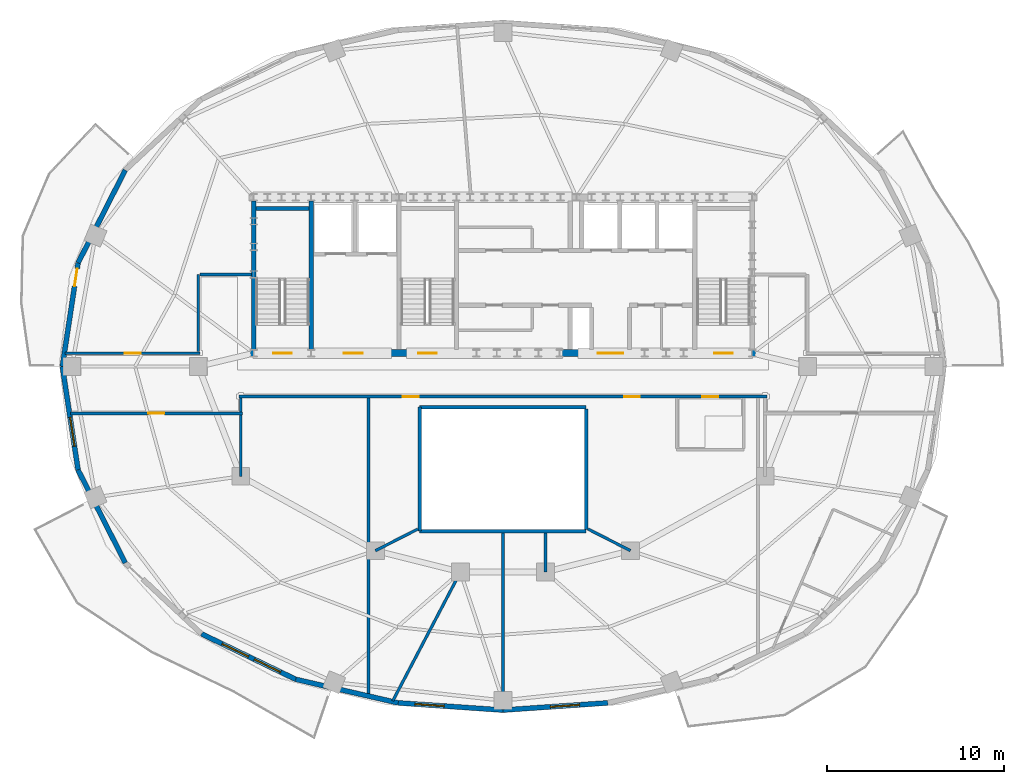
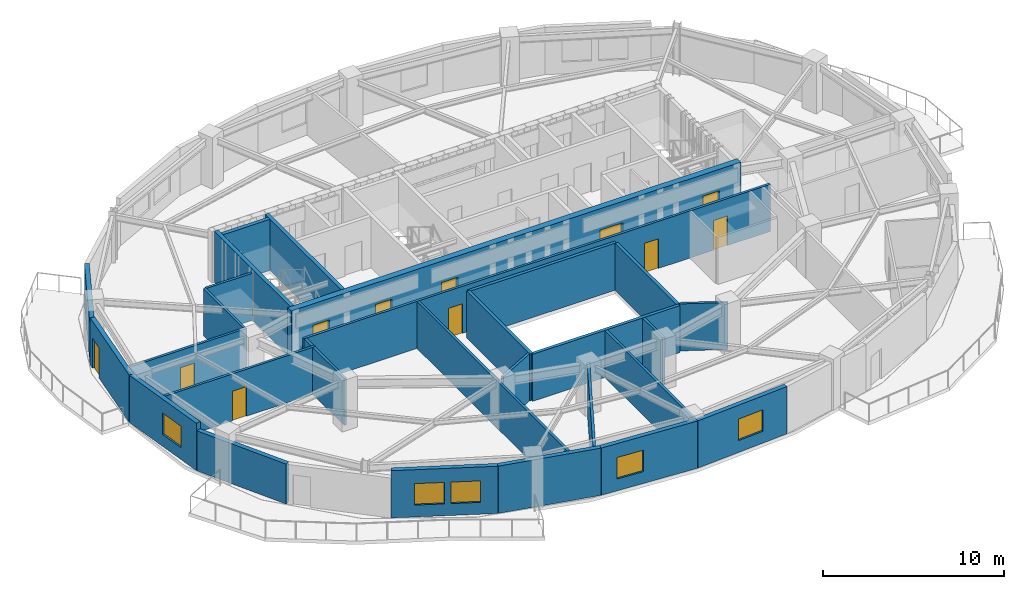
# One storey, part 3 of 9: 29 walls, 11 doors, 5 windows, 16 openings.
"""IFC4 building model written with IfcOpenShell, lengths in metres."""

from ifc_helpers import new_model, si_unit, direction, frame, frame_2d, origin, place, context, subcontext, project, spatial, rectangle, extrude, material, layer, layer_set, type_object, element, fill, save


model = new_model("IFC4")

# Units and contexts
model_context = context("Model", 3, precision=1e-05, world=origin(), true_north=direction((0.0, 1.0)))
body_context = subcontext(model_context, "Body", "Model", "MODEL_VIEW")
ifc_project = project(units=[si_unit("LENGTHUNIT", "METRE"), si_unit("AREAUNIT", "SQUARE_METRE"), si_unit("VOLUMEUNIT", "CUBIC_METRE"), si_unit("PLANEANGLEUNIT", "RADIAN"), si_unit("MASSUNIT", "GRAM", prefix="KILO")], contexts=[model_context])

# Site, building, storey
site_placement = place(None, origin())
site = spatial("IfcSite", under=ifc_project, at=site_placement, CompositionType="ELEMENT")
building_placement = place(site_placement, origin())
building = spatial("IfcBuilding", under=site, at=building_placement, Name="Haldorwick Loom Tower", CompositionType="ELEMENT")
storey_placement = place(building_placement, frame((0.0, 0.0, 244.35009765625)))
storey = spatial("IfcBuildingStorey", under=building, at=storey_placement, Name="L66", CompositionType="ELEMENT", Elevation=244.35009765625)

# Wall
ifc_material_1 = material(Name="Pressed Clay Face Brick and Insulated Masonry Backup Assembly", Category="masonry")
ifc_layer_1 = layer(ifc_material_1, 0.280029296875, Name="Pressed Clay Face Brick and Insulated Masonry Backup Assembly", Category="masonry")
ifc_layer_set_1 = layer_set([ifc_layer_1], Name="Pressed Clay Face Brick and Insulated Masonry Backup Assembly")
wall_type_1 = type_object("IfcWallType", Name="ARC-WL-EXT280", PredefinedType="STANDARD", material=ifc_layer_set_1)
wall_1_placement = place(storey_placement, frame((14.677490234375, 37.08984375, 0.0), z_axis=(0.0, 0.0, 1.0), x_axis=(-0.453100705059, -0.89145933787, 0.0)))
element("IfcWall", 1, at=wall_1_placement, inside=storey, type_object=wall_type_1, Name="L66 Brick Pier and Spandrel Wall 11", PredefinedType="STANDARD", context=body_context, shape_type="SweptSolid", body=[
    extrude(rectangle(XDim=5.879150390625, YDim=0.280029296875, at=frame_2d((2.939453125, 0.0))), origin(), (0.0, 0.0, 1.0), 2.698974609375),
])

# Wall, opening, door
wall_2_placement = place(storey_placement, frame((12.013671875, 31.848876953125, 0.0), z_axis=(0.0, 0.0, 1.0), x_axis=(-0.150497234153, -0.988610430105, 0.0)))
wall_2 = element("IfcWall", 2, at=wall_2_placement, inside=storey, type_object=wall_type_1, Name="L66 Brick Pier and Spandrel Wall 12", PredefinedType="STANDARD", context=body_context, shape_type="SweptSolid", body=[
    extrude(rectangle(XDim=5.916259765625, YDim=0.280029296875, at=frame_2d((2.9580078125, 0.0))), origin(), (0.0, 0.0, 1.0), 3.18994140625),
])
opening_1_placement = place(wall_2_placement, frame((0.340087890625, 0.0, 0.0)))
opening_1 = element("IfcOpeningElement", 3, at=opening_1_placement, cuts=wall_2, Name="Opening D-BL10", PredefinedType="OPENING", context=body_context, shape_type="SweptSolid", body=[
    extrude(rectangle(XDim=1.0, YDim=2.0400390625, at=frame_2d((0.5, 1.02001953125))), frame((0.0, 0.14990234375, 0.0), z_axis=(0.0, -1.0, 0.0), x_axis=(1.0, 0.0, 0.0)), (0.0, 0.0, 1.0), 0.300048828125),
])
ifc_material_2 = material(Name="Thermally Broken Anodized Aluminium Curtain Wall Framing", Category="aluminium")
door_type_1 = type_object("IfcDoorType", Name="ARC-DR-BAL100", OperationType="NOTDEFINED", PredefinedType="DOOR", material=ifc_material_2)
door_1_placement = place(opening_1_placement, origin())
door_1 = element("IfcDoor", 4, at=door_1_placement, inside=storey, type_object=door_type_1, Name="L66 Outdoor Terrace Door SLB-L66-BAL_WNW", OperationType="SINGLE_SWING_RIGHT", OverallHeight=2.0400390625, OverallWidth=1.0, PredefinedType="DOOR", context=body_context, shape_type="SweptSolid", body=[
    extrude(rectangle(XDim=1.0, YDim=2.0400390625, at=frame_2d((0.5, 1.02001953125))), frame((0.0, 0.02490234375, 0.0), z_axis=(0.0, -1.0, 0.0), x_axis=(1.0, 0.0, 0.0)), (0.0, 0.0, 1.0), 0.050048828125),
])
fill(opening_1, door_1)

# Wall, opening, window
wall_3_placement = place(storey_placement, frame((11.123291015625, 26.0, 0.0), z_axis=(0.0, 0.0, 1.0), x_axis=(0.150497234153, -0.988610430105, 0.0)))
wall_3 = element("IfcWall", 5, at=wall_3_placement, inside=storey, type_object=wall_type_1, Name="L66 Brick Pier and Spandrel Wall 13", PredefinedType="STANDARD", context=body_context, shape_type="SweptSolid", body=[
    extrude(rectangle(XDim=5.916259765625, YDim=0.280029296875, at=frame_2d((2.9580078125, 0.0))), origin(), (0.0, 0.0, 1.0), 3.18994140625),
])
opening_2_placement = place(wall_3_placement, frame((2.91015625, 0.0, 0.800048828125)))
opening_2 = element("IfcOpeningElement", 6, at=opening_2_placement, cuts=wall_3, Name="Opening W-01B", PredefinedType="OPENING", context=body_context, shape_type="SweptSolid", body=[
    extrude(rectangle(XDim=1.64990234375, YDim=1.449951171875, at=frame_2d((0.824951171875, 0.72509765625))), frame((0.0, 0.14990234375, 0.0), z_axis=(0.0, -1.0, 0.0), x_axis=(1.0, 0.0, 0.0)), (0.0, 0.0, 1.0), 0.300048828125),
])
ifc_material_3 = material(Name="Triple-Glazed Low-E Argon Insulated Glazing Unit", Category="glass")
window_type = type_object("IfcWindowType", Name="ARC-WIN-W165", PartitioningType="SINGLE_PANEL", PredefinedType="WINDOW", material=ifc_material_3)
window_1_placement = place(opening_2_placement, origin())
window_1 = element("IfcWindow", 7, at=window_1_placement, inside=storey, type_object=window_type, Name="L66 Deep-Set Zone 7A Window 13", OverallHeight=1.449951171875, OverallWidth=1.64990234375, PartitioningType="SINGLE_PANEL", PredefinedType="WINDOW", context=body_context, shape_type="SweptSolid", body=[
    extrude(rectangle(XDim=1.64990234375, YDim=1.449951171875, at=frame_2d((0.824951171875, 0.72509765625))), frame((0.0, 0.030029296875, 0.0), z_axis=(0.0, -1.0, 0.0), x_axis=(1.0, 0.0, 0.0)), (0.0, 0.0, 1.0), 0.06005859375),
])
fill(opening_2, window_1)

# Wall
wall_4_placement = place(storey_placement, frame((12.013671875, 20.151123046875, 0.0), z_axis=(0.0, 0.0, 1.0), x_axis=(0.453100705059, -0.89145933787, 0.0)))
element("IfcWall", 8, at=wall_4_placement, inside=storey, type_object=wall_type_1, Name="L66 Brick Pier and Spandrel Wall 14", PredefinedType="STANDARD", context=body_context, shape_type="SweptSolid", body=[
    extrude(rectangle(XDim=5.879150390625, YDim=0.280029296875, at=frame_2d((2.939453125, 0.0))), origin(), (0.0, 0.0, 1.0), 2.698974609375),
])

# Wall, openings, windows
wall_5_placement = place(storey_placement, frame((18.98046875, 10.904296875, 0.0), z_axis=(0.0, 0.0, 1.0), x_axis=(0.900481907967, -0.434893473651, 0.0)))
wall_5 = element("IfcWall", 9, at=wall_5_placement, inside=storey, type_object=wall_type_1, Name="L66 Brick Pier and Spandrel Wall 16", PredefinedType="STANDARD", context=body_context, shape_type="SweptSolid", body=[
    extrude(rectangle(XDim=5.90966796875, YDim=0.280029296875, at=frame_2d((2.954833984375, 0.0))), origin(), (0.0, 0.0, 1.0), 3.18994140625),
])
opening_3_placement = place(wall_5_placement, frame((1.29443359375, 0.0, 0.800048828125)))
opening_3 = element("IfcOpeningElement", 10, at=opening_3_placement, cuts=wall_5, Name="Opening W-01B", PredefinedType="OPENING", context=body_context, shape_type="SweptSolid", body=[
    extrude(rectangle(XDim=1.64990234375, YDim=1.449951171875, at=frame_2d((0.824951171875, 0.72509765625))), frame((0.0, 0.14990234375, 0.0), z_axis=(0.0, -1.0, 0.0), x_axis=(1.0, 0.0, 0.0)), (0.0, 0.0, 1.0), 0.300048828125),
])
opening_4_placement = place(wall_5_placement, frame((3.311767578125, 0.0, 0.800048828125)))
opening_4 = element("IfcOpeningElement", 11, at=opening_4_placement, cuts=wall_5, Name="Opening W-01B", PredefinedType="OPENING", context=body_context, shape_type="SweptSolid", body=[
    extrude(rectangle(XDim=1.64990234375, YDim=1.449951171875, at=frame_2d((0.824951171875, 0.72509765625))), frame((0.0, 0.14990234375, 0.0), z_axis=(0.0, -1.0, 0.0), x_axis=(1.0, 0.0, 0.0)), (0.0, 0.0, 1.0), 0.300048828125),
])
window_2_placement = place(opening_3_placement, origin())
window_2 = element("IfcWindow", 12, at=window_2_placement, inside=storey, type_object=window_type, Name="L66 Deep-Set Zone 7A Window 16", OverallHeight=1.449951171875, OverallWidth=1.64990234375, PartitioningType="SINGLE_PANEL", PredefinedType="WINDOW", context=body_context, shape_type="SweptSolid", body=[
    extrude(rectangle(XDim=1.64990234375, YDim=1.449951171875, at=frame_2d((0.824951171875, 0.72509765625))), frame((0.0, 0.030029296875, 0.0), z_axis=(0.0, -1.0, 0.0), x_axis=(1.0, 0.0, 0.0)), (0.0, 0.0, 1.0), 0.06005859375),
])
fill(opening_3, window_2)
window_3_placement = place(opening_4_placement, origin())
window_3 = element("IfcWindow", 13, at=window_3_placement, inside=storey, type_object=window_type, Name="L66 Deep-Set Zone 7A Window 16", OverallHeight=1.449951171875, OverallWidth=1.64990234375, PartitioningType="SINGLE_PANEL", PredefinedType="WINDOW", context=body_context, shape_type="SweptSolid", body=[
    extrude(rectangle(XDim=1.64990234375, YDim=1.449951171875, at=frame_2d((0.824951171875, 0.72509765625))), frame((0.0, 0.030029296875, 0.0), z_axis=(0.0, -1.0, 0.0), x_axis=(1.0, 0.0, 0.0)), (0.0, 0.0, 1.0), 0.06005859375),
])
fill(opening_4, window_3)

# Wall
wall_6_placement = place(storey_placement, frame((24.302001953125, 8.334228515625, 0.0), z_axis=(0.0, 0.0, 1.0), x_axis=(0.974589984037, -0.223996345987, 0.0)))
element("IfcWall", 14, at=wall_6_placement, inside=storey, type_object=wall_type_1, Name="L66 Brick Pier and Spandrel Wall 17", PredefinedType="STANDARD", context=body_context, shape_type="SweptSolid", body=[
    extrude(rectangle(XDim=5.92919921875, YDim=0.280029296875, at=frame_2d((2.964599609375, 0.0))), origin(), (0.0, 0.0, 1.0), 3.18994140625),
])

# Wall, opening, window
wall_7_placement = place(storey_placement, frame((30.08056640625, 7.006103515625, 0.0), z_axis=(0.0, 0.0, 1.0), x_axis=(0.997656066566, -0.068427865986, 0.0)))
wall_7 = element("IfcWall", 15, at=wall_7_placement, inside=storey, type_object=wall_type_1, Name="L66 Brick Pier and Spandrel Wall 18", PredefinedType="STANDARD", context=body_context, shape_type="SweptSolid", body=[
    extrude(rectangle(XDim=5.933349609375, YDim=0.280029296875, at=frame_2d((2.966796875, 0.0))), origin(), (0.0, 0.0, 1.0), 3.18994140625),
])
opening_5_placement = place(wall_7_placement, frame((0.955078125, 0.0, 0.800048828125)))
opening_5 = element("IfcOpeningElement", 16, at=opening_5_placement, cuts=wall_7, Name="Opening W-01B", PredefinedType="OPENING", context=body_context, shape_type="SweptSolid", body=[
    extrude(rectangle(XDim=1.64990234375, YDim=1.449951171875, at=frame_2d((0.824951171875, 0.72509765625))), frame((0.0, 0.14990234375, 0.0), z_axis=(0.0, -1.0, 0.0), x_axis=(1.0, 0.0, 0.0)), (0.0, 0.0, 1.0), 0.300048828125),
])
window_4_placement = place(opening_5_placement, origin())
window_4 = element("IfcWindow", 17, at=window_4_placement, inside=storey, type_object=window_type, Name="L66 Deep-Set Zone 7A Window 18", OverallHeight=1.449951171875, OverallWidth=1.64990234375, PartitioningType="SINGLE_PANEL", PredefinedType="WINDOW", context=body_context, shape_type="SweptSolid", body=[
    extrude(rectangle(XDim=1.64990234375, YDim=1.449951171875, at=frame_2d((0.824951171875, 0.72509765625))), frame((0.0, 0.030029296875, 0.0), z_axis=(0.0, -1.0, 0.0), x_axis=(1.0, 0.0, 0.0)), (0.0, 0.0, 1.0), 0.06005859375),
])
fill(opening_5, window_4)

wall_8_placement = place(storey_placement, frame((36.0, 6.60009765625, 0.0), z_axis=(0.0, 0.0, 1.0), x_axis=(0.997656066566, 0.068427865986, 0.0)))
wall_8 = element("IfcWall", 18, at=wall_8_placement, inside=storey, type_object=wall_type_1, Name="L66 Brick Pier and Spandrel Wall 19", PredefinedType="STANDARD", context=body_context, shape_type="SweptSolid", body=[
    extrude(rectangle(XDim=5.933349609375, YDim=0.280029296875, at=frame_2d((2.966796875, 0.0))), origin(), (0.0, 0.0, 1.0), 3.18994140625),
])
opening_6_placement = place(wall_8_placement, frame((2.68212890625, 0.0, 0.800048828125)))
opening_6 = element("IfcOpeningElement", 19, at=opening_6_placement, cuts=wall_8, Name="Opening W-01B", PredefinedType="OPENING", context=body_context, shape_type="SweptSolid", body=[
    extrude(rectangle(XDim=1.64990234375, YDim=1.449951171875, at=frame_2d((0.824951171875, 0.72509765625))), frame((0.0, 0.14990234375, 0.0), z_axis=(0.0, -1.0, 0.0), x_axis=(1.0, 0.0, 0.0)), (0.0, 0.0, 1.0), 0.300048828125),
])
window_5_placement = place(opening_6_placement, origin())
window_5 = element("IfcWindow", 20, at=window_5_placement, inside=storey, type_object=window_type, Name="L66 Deep-Set Zone 7A Window 19", OverallHeight=1.449951171875, OverallWidth=1.64990234375, PartitioningType="SINGLE_PANEL", PredefinedType="WINDOW", context=body_context, shape_type="SweptSolid", body=[
    extrude(rectangle(XDim=1.64990234375, YDim=1.449951171875, at=frame_2d((0.824951171875, 0.72509765625))), frame((0.0, 0.030029296875, 0.0), z_axis=(0.0, -1.0, 0.0), x_axis=(1.0, 0.0, 0.0)), (0.0, 0.0, 1.0), 0.06005859375),
])
fill(opening_6, window_5)

# Wall, openings, doors
ifc_material_4 = material(Name="Fire-Rated Type X Gypsum Stud Assembly EI 60")
ifc_layer_2 = layer(ifc_material_4, 0.159912109375, Name="Fire-Rated Type X Gypsum Stud Assembly EI 60")
ifc_layer_set_2 = layer_set([ifc_layer_2], Name="Fire-Rated Type X Gypsum Stud Assembly EI 60")
wall_type_2 = type_object("IfcWallType", Name="ARC-WL-FIRE160", PredefinedType="PARTITIONING", material=ifc_layer_set_2)
wall_9_placement = place(storey_placement, frame((21.10009765625, 24.300048828125, 0.0), z_axis=(0.0, 0.0, 1.0), x_axis=(1.0, 0.0, 0.0)))
wall_9 = element("IfcWall", 21, at=wall_9_placement, inside=storey, type_object=wall_type_2, Name="L66 Residential Fire Partition L66-CR-SP", PredefinedType="PARTITIONING", context=body_context, shape_type="SweptSolid", body=[
    extrude(rectangle(XDim=29.7998046875, YDim=0.159912109375, at=frame_2d((14.89990234375, 0.0))), origin(), (0.0, 0.0, 1.0), 3.1748046875),
])
opening_7_placement = place(wall_9_placement, frame((21.734375, 0.0, 0.0)))
opening_7 = element("IfcOpeningElement", 22, at=opening_7_placement, cuts=wall_9, Name="Opening D-FD60A", PredefinedType="OPENING", context=body_context, shape_type="SweptSolid", body=[
    extrude(rectangle(XDim=0.89990234375, YDim=2.0, at=frame_2d((0.449951171875, 1.0))), frame((0.0, 0.08984375, 0.0), z_axis=(0.0, -1.0, 0.0), x_axis=(1.0, 0.0, 0.0)), (0.0, 0.0, 1.0), 0.179931640625),
])
opening_8_placement = place(wall_9_placement, frame((9.240478515625, 0.0, 0.0)))
opening_8 = element("IfcOpeningElement", 23, at=opening_8_placement, cuts=wall_9, Name="Opening D-FD60A", PredefinedType="OPENING", context=body_context, shape_type="SweptSolid", body=[
    extrude(rectangle(XDim=0.89990234375, YDim=2.0, at=frame_2d((0.449951171875, 1.0))), frame((0.0, 0.08984375, 0.0), z_axis=(0.0, -1.0, 0.0), x_axis=(1.0, 0.0, 0.0)), (0.0, 0.0, 1.0), 0.179931640625),
])
opening_9_placement = place(wall_9_placement, frame((26.1494140625, 0.0, 0.0)))
opening_9 = element("IfcOpeningElement", 24, at=opening_9_placement, cuts=wall_9, Name="Opening D-FD60A", PredefinedType="OPENING", context=body_context, shape_type="SweptSolid", body=[
    extrude(rectangle(XDim=0.89990234375, YDim=2.0, at=frame_2d((0.449951171875, 1.0))), frame((0.0, 0.08984375, 0.0), z_axis=(0.0, -1.0, 0.0), x_axis=(1.0, 0.0, 0.0)), (0.0, 0.0, 1.0), 0.179931640625),
])
ifc_material_5 = material(Name="Hollow Steel Fire Door Assembly", Category="steel")
door_type_2 = type_object("IfcDoorType", Name="ARC-DR-FD60-90", OperationType="NOTDEFINED", PredefinedType="DOOR", material=ifc_material_5)
door_2_placement = place(opening_7_placement, origin())
door_2 = element("IfcDoor", 25, at=door_2_placement, inside=storey, type_object=door_type_2, Name="L66 L66 Central Residential Corridor to Community Teaching Classroom 5 D", OperationType="SINGLE_SWING_RIGHT", OverallHeight=2.0, OverallWidth=0.89990234375, PredefinedType="DOOR", context=body_context, shape_type="SweptSolid", body=[
    extrude(rectangle(XDim=0.89990234375, YDim=2.0, at=frame_2d((0.449951171875, 1.0))), frame((0.0, 0.02490234375, 0.0), z_axis=(0.0, -1.0, 0.0), x_axis=(1.0, 0.0, 0.0)), (0.0, 0.0, 1.0), 0.050048828125),
])
fill(opening_7, door_2)
door_3_placement = place(opening_8_placement, origin())
door_3 = element("IfcDoor", 26, at=door_3_placement, inside=storey, type_object=door_type_2, Name="L66 L66 Central Residential Corridor to Community Teaching Classroom 1 D", OperationType="SINGLE_SWING_LEFT", OverallHeight=2.0, OverallWidth=0.89990234375, PredefinedType="DOOR", context=body_context, shape_type="SweptSolid", body=[
    extrude(rectangle(XDim=0.89990234375, YDim=2.0, at=frame_2d((0.449951171875, 1.0))), frame((0.0, 0.02490234375, 0.0), z_axis=(0.0, -1.0, 0.0), x_axis=(1.0, 0.0, 0.0)), (0.0, 0.0, 1.0), 0.050048828125),
])
fill(opening_8, door_3)
door_4_placement = place(opening_9_placement, origin())
door_4 = element("IfcDoor", 27, at=door_4_placement, inside=storey, type_object=door_type_2, Name="L66 L66 Central Residential Corridor to Common Accessible WC Door", OperationType="SINGLE_SWING_RIGHT", OverallHeight=2.0, OverallWidth=0.89990234375, PredefinedType="DOOR", context=body_context, shape_type="SweptSolid", body=[
    extrude(rectangle(XDim=0.89990234375, YDim=2.0, at=frame_2d((0.449951171875, 1.0))), frame((0.0, 0.02490234375, 0.0), z_axis=(0.0, -1.0, 0.0), x_axis=(1.0, 0.0, 0.0)), (0.0, 0.0, 1.0), 0.050048828125),
])
fill(opening_9, door_4)

# Wall, opening, door
wall_10_placement = place(storey_placement, frame((11.572265625, 23.35009765625, 0.0), z_axis=(0.0, 0.0, 1.0), x_axis=(1.0, 0.0, 0.0)))
wall_10 = element("IfcWall", 28, at=wall_10_placement, inside=storey, type_object=wall_type_2, Name="L66 Residential Fire Partition L66-CR-SPW", PredefinedType="PARTITIONING", context=body_context, shape_type="SweptSolid", body=[
    extrude(rectangle(XDim=9.727783203125, YDim=0.159912109375, at=frame_2d((4.86376953125, 0.0))), origin(), (0.0, 0.0, 1.0), 3.1748046875),
])
opening_10_placement = place(wall_10_placement, frame((4.413818359375, 0.0, 0.0)))
opening_10 = element("IfcOpeningElement", 29, at=opening_10_placement, cuts=wall_10, Name="Opening D-FD60A", PredefinedType="OPENING", context=body_context, shape_type="SweptSolid", body=[
    extrude(rectangle(XDim=0.89990234375, YDim=2.0, at=frame_2d((0.449951171875, 1.0))), frame((0.0, 0.08984375, 0.0), z_axis=(0.0, -1.0, 0.0), x_axis=(1.0, 0.0, 0.0)), (0.0, 0.0, 1.0), 0.179931640625),
])
door_5_placement = place(opening_10_placement, origin())
door_5 = element("IfcDoor", 30, at=door_5_placement, inside=storey, type_object=door_type_2, Name="L66 L66 Central Residential Corridor to Community Teaching Classroom 2 D", OperationType="SINGLE_SWING_LEFT", OverallHeight=2.0, OverallWidth=0.89990234375, PredefinedType="DOOR", context=body_context, shape_type="SweptSolid", body=[
    extrude(rectangle(XDim=0.89990234375, YDim=2.0, at=frame_2d((0.449951171875, 1.0))), frame((0.0, 0.02490234375, 0.0), z_axis=(0.0, -1.0, 0.0), x_axis=(1.0, 0.0, 0.0)), (0.0, 0.0, 1.0), 0.050048828125),
])
fill(opening_10, door_5)

# Wall
wall_11_placement = place(storey_placement, frame((21.199951171875, 23.43310546875, 0.0), z_axis=(0.0, 0.0, 1.0), x_axis=(0.0, 1.0, 0.0)))
element("IfcWall", 31, at=wall_11_placement, inside=storey, type_object=wall_type_2, Name="L66 Residential Fire Partition L66-CR-STW", PredefinedType="PARTITIONING", context=body_context, shape_type="SweptSolid", body=[
    extrude(rectangle(XDim=0.783935546875, YDim=0.159912109375, at=frame_2d((0.39208984375, 0.0))), origin(), (0.0, 0.0, 1.0), 3.1748046875),
])

# Wall, opening, door
wall_12_placement = place(storey_placement, frame((11.282958984375, 26.75, 0.0), z_axis=(0.0, 0.0, 1.0), x_axis=(1.0, 0.0, 0.0)))
wall_12 = element("IfcWall", 32, at=wall_12_placement, inside=storey, type_object=wall_type_2, Name="L66 Residential Fire Partition L66-CR-NWL", PredefinedType="PARTITIONING", context=body_context, shape_type="SweptSolid", body=[
    extrude(rectangle(XDim=7.616943359375, YDim=0.159912109375, at=frame_2d((3.80859375, 0.0))), origin(), (0.0, 0.0, 1.0), 3.1748046875),
])
opening_11_placement = place(wall_12_placement, frame((3.3583984375, 0.0, 0.0)))
opening_11 = element("IfcOpeningElement", 33, at=opening_11_placement, cuts=wall_12, Name="Opening D-FD60A", PredefinedType="OPENING", context=body_context, shape_type="SweptSolid", body=[
    extrude(rectangle(XDim=0.89990234375, YDim=2.0, at=frame_2d((0.449951171875, 1.0))), frame((0.0, 0.08984375, 0.0), z_axis=(0.0, -1.0, 0.0), x_axis=(1.0, 0.0, 0.0)), (0.0, 0.0, 1.0), 0.179931640625),
])
door_6_placement = place(opening_11_placement, frame((0.89990234375, 0.0, 0.0), z_axis=(0.0, 0.0, 1.0), x_axis=(-1.0, 0.0, 0.0)))
door_6 = element("IfcDoor", 34, at=door_6_placement, inside=storey, type_object=door_type_2, Name="L66 Community Teaching Classroom 3 to L66 Central Residential Corridor D", OperationType="SINGLE_SWING_RIGHT", OverallHeight=2.0, OverallWidth=0.89990234375, PredefinedType="DOOR", context=body_context, shape_type="SweptSolid", body=[
    extrude(rectangle(XDim=0.89990234375, YDim=2.0, at=frame_2d((0.449951171875, 1.0))), frame((0.0, 0.02490234375, 0.0), z_axis=(0.0, -1.0, 0.0), x_axis=(1.0, 0.0, 0.0)), (0.0, 0.0, 1.0), 0.050048828125),
])
fill(opening_11, door_6)

# Walls
wall_13_placement = place(storey_placement, frame((18.800048828125, 26.8330078125, 0.0), z_axis=(0.0, 0.0, 1.0), x_axis=(0.0, 1.0, 0.0)))
element("IfcWall", 35, at=wall_13_placement, inside=storey, type_object=wall_type_2, Name="L66 Residential Fire Partition L66-CR-W0", PredefinedType="PARTITIONING", context=body_context, shape_type="SweptSolid", body=[
    extrude(rectangle(XDim=4.366943359375, YDim=0.159912109375, at=frame_2d((2.18359375, 0.0))), origin(), (0.0, 0.0, 1.0), 3.1748046875),
])
wall_14_placement = place(storey_placement, frame((18.883056640625, 31.199951171875, 0.0), z_axis=(0.0, 0.0, 1.0), x_axis=(1.0, 0.0, 0.0)))
element("IfcWall", 36, at=wall_14_placement, inside=storey, type_object=wall_type_2, Name="L66 Residential Fire Partition L66-CR-WNJ", PredefinedType="PARTITIONING", context=body_context, shape_type="SweptSolid", body=[
    extrude(rectangle(XDim=2.923828125, YDim=0.159912109375, at=frame_2d((1.4619140625, 0.0))), origin(), (0.0, 0.0, 1.0), 3.1748046875),
])
wall_15_placement = place(storey_placement, frame((33.60009765625, 14.39990234375, 0.0), z_axis=(0.0, 0.0, 1.0), x_axis=(-0.46469826826, -0.88546909572, 0.0)))
element("IfcWall", 37, at=wall_15_placement, inside=storey, type_object=wall_type_2, Name="L66 Residential Fire Partition L66-ICR-05", PredefinedType="PARTITIONING", context=body_context, shape_type="SweptSolid", body=[
    extrude(rectangle(XDim=8.219970703125, YDim=0.159912109375, at=frame_2d((4.10986328125, 0.0))), origin(), (0.0, 0.0, 1.0), 3.1748046875),
])
wall_16_placement = place(storey_placement, frame((28.39990234375, 7.438720703125, 0.0), z_axis=(0.0, 0.0, 1.0), x_axis=(0.0, 1.0, 0.0)))
element("IfcWall", 38, at=wall_16_placement, inside=storey, type_object=wall_type_2, Name="L66 Residential Fire Partition L66-SBP-0", PredefinedType="PARTITIONING", context=body_context, shape_type="SweptSolid", body=[
    extrude(rectangle(XDim=16.7783203125, YDim=0.159912109375, at=frame_2d((8.38916015625, 0.0))), origin(), (0.0, 0.0, 1.0), 3.1748046875),
])
wall_17_placement = place(storey_placement, frame((36.0, 6.6455078125, 0.0), z_axis=(0.0, 0.0, 1.0), x_axis=(0.0, 1.0, 0.0)))
element("IfcWall", 39, at=wall_17_placement, inside=storey, type_object=wall_type_2, Name="L66 Residential Fire Partition L66-SBP-1", PredefinedType="PARTITIONING", context=body_context, shape_type="SweptSolid", body=[
    extrude(rectangle(XDim=9.951416015625, YDim=0.159912109375, at=frame_2d((4.9755859375, 0.0))), origin(), (0.0, 0.0, 1.0), 3.1748046875),
])
wall_18_placement = place(storey_placement, frame((40.802978515625, 16.822021484375, 0.0), z_axis=(0.0, 0.0, 1.0), x_axis=(0.890915506237, -0.454169088278, 0.0)))
element("IfcWall", 40, at=wall_18_placement, inside=storey, type_object=wall_type_2, Name="L66 Residential Fire Partition L66-ICA-02", PredefinedType="PARTITIONING", context=body_context, shape_type="SweptSolid", body=[
    extrude(rectangle(XDim=2.6904296875, YDim=0.159912109375, at=frame_2d((1.34521484375, 0.0))), origin(), (0.0, 0.0, 1.0), 3.1748046875),
])
wall_19_placement = place(storey_placement, frame((38.39990234375, 16.596923828125, 0.0), z_axis=(0.0, 0.0, 1.0), x_axis=(0.0, -1.0, 0.0)))
element("IfcWall", 41, at=wall_19_placement, inside=storey, type_object=wall_type_2, Name="L66 Residential Fire Partition L66-ICA-03", PredefinedType="PARTITIONING", context=body_context, shape_type="SweptSolid", body=[
    extrude(rectangle(XDim=2.197021484375, YDim=0.159912109375, at=frame_2d((1.0986328125, 0.0))), origin(), (0.0, 0.0, 1.0), 3.1748046875),
])
wall_20_placement = place(storey_placement, frame((31.197021484375, 16.822021484375, 0.0), z_axis=(0.0, 0.0, 1.0), x_axis=(-0.890915506237, -0.454169088278, 0.0)))
element("IfcWall", 42, at=wall_20_placement, inside=storey, type_object=wall_type_2, Name="L66 Residential Fire Partition L66-ICA-06", PredefinedType="PARTITIONING", context=body_context, shape_type="SweptSolid", body=[
    extrude(rectangle(XDim=2.6904296875, YDim=0.159912109375, at=frame_2d((1.34521484375, 0.0))), origin(), (0.0, 0.0, 1.0), 3.1748046875),
])
wall_21_placement = place(storey_placement, frame((21.199951171875, 23.26708984375, 0.0), z_axis=(0.0, 0.0, 1.0), x_axis=(0.0, -1.0, 0.0)))
element("IfcWall", 43, at=wall_21_placement, inside=storey, type_object=wall_type_2, Name="L66 Residential Fire Partition L66-ICA-07", PredefinedType="PARTITIONING", context=body_context, shape_type="SweptSolid", body=[
    extrude(rectangle(XDim=3.467041015625, YDim=0.159912109375, at=frame_2d((1.7333984375, 0.0))), origin(), (0.0, 0.0, 1.0), 3.1748046875),
])
ifc_material_6 = material(Name="Fire-Rated Type X Gypsum Stud Assembly EI 120")
ifc_layer_3 = layer(ifc_material_6, 0.199951171875, Name="Fire-Rated Type X Gypsum Stud Assembly EI 120")
ifc_layer_set_3 = layer_set([ifc_layer_3], Name="Fire-Rated Type X Gypsum Stud Assembly EI 120")
wall_type_3 = type_object("IfcWallType", Name="ARC-WL-FIRE200", PredefinedType="PARTITIONING", material=ifc_layer_set_3)
for number, where, z_axis, x_axis, name in (
    (44, (31.300048828125, 23.699951171875, 0.0), (0.0, 0.0, 1.0), (1.0, 0.0, 0.0), "L66 Atrium Fire Enclosure Wall N"),
    (45, (40.699951171875, 16.699951171875, 0.0), (0.0, 0.0, 1.0), (-1.0, 0.0, 0.0), "L66 Atrium Fire Enclosure Wall S"),
):
    element("IfcWall", number, at=place(storey_placement, frame(where, z_axis=z_axis, x_axis=x_axis)), inside=storey, type_object=wall_type_3, Name=name, PredefinedType="PARTITIONING", context=body_context, shape_type="SweptSolid", body=[
        extrude(rectangle(XDim=9.39990234375, YDim=0.199951171875, at=frame_2d((4.699951171875, 0.0))), origin(), (0.0, 0.0, 1.0), 3.1748046875),
    ])
wall_22_placement = place(storey_placement, frame((31.300048828125, 16.699951171875, 0.0), z_axis=(0.0, 0.0, 1.0), x_axis=(0.0, 1.0, 0.0)))
element("IfcWall", 46, at=wall_22_placement, inside=storey, type_object=wall_type_3, Name="L66 Atrium Fire Enclosure Wall W", PredefinedType="PARTITIONING", context=body_context, shape_type="SweptSolid", body=[
    extrude(rectangle(XDim=7.0, YDim=0.199951171875, at=frame_2d((3.5, 0.0))), origin(), (0.0, 0.0, 1.0), 3.1748046875),
])
wall_23_placement = place(storey_placement, frame((40.699951171875, 23.596923828125, 0.0), z_axis=(0.0, 0.0, 1.0), x_axis=(0.0, -1.0, 0.0)))
element("IfcWall", 47, at=wall_23_placement, inside=storey, type_object=wall_type_3, Name="L66 Atrium Fire Enclosure Wall E", PredefinedType="PARTITIONING", context=body_context, shape_type="SweptSolid", body=[
    extrude(rectangle(XDim=6.7939453125, YDim=0.199951171875, at=frame_2d((3.39697265625, 0.0))), origin(), (0.0, 0.0, 1.0), 3.1748046875),
])

# Wall, openings, doors
ifc_material_7 = material(Name="Concrete C50 (50 MPa)", Category="concrete")
ifc_layer_4 = layer(ifc_material_7, 0.39990234375, Name="Concrete C50 (50 MPa)", Category="concrete")
ifc_layer_set_4 = layer_set([ifc_layer_4], Name="Concrete C50 (50 MPa)")
wall_type_4 = type_object("IfcWallType", Name="STR-WL-CORE400", PredefinedType="SHEAR", material=ifc_layer_set_4)
wall_24_placement = place(storey_placement, frame((21.64990234375, 26.75, 0.0), z_axis=(0.0, 0.0, 1.0), x_axis=(1.0, 0.0, 0.0)))
wall_24 = element("IfcWall", 48, at=wall_24_placement, inside=storey, type_object=wall_type_4, Name="L66 Core Shear Wall S", PredefinedType="SHEAR", context=body_context, shape_type="SweptSolid", body=[
    extrude(rectangle(XDim=28.7001953125, YDim=0.39990234375, at=frame_2d((14.35009765625, 0.0))), origin(), (0.0, 0.0, 1.0), 3.449951171875),
])
opening_12_placement = place(wall_24_placement, frame((1.375, 0.0, 0.0)))
opening_12 = element("IfcOpeningElement", 49, at=opening_12_placement, cuts=wall_24, Name="Opening D-FD60", PredefinedType="OPENING", context=body_context, shape_type="SweptSolid", body=[
    extrude(rectangle(XDim=1.050048828125, YDim=2.0, at=frame_2d((0.52490234375, 1.0))), frame((0.0, 0.2099609375, 0.0), z_axis=(0.0, -1.0, 0.0), x_axis=(1.0, 0.0, 0.0)), (0.0, 0.0, 1.0), 0.419921875),
])
opening_13_placement = place(wall_24_placement, frame((5.375, 0.0, 0.0)))
opening_13 = element("IfcOpeningElement", 50, at=opening_13_placement, cuts=wall_24, Name="Opening D-FD60", PredefinedType="OPENING", context=body_context, shape_type="SweptSolid", body=[
    extrude(rectangle(XDim=1.050048828125, YDim=2.0, at=frame_2d((0.52490234375, 1.0))), frame((0.0, 0.2099609375, 0.0), z_axis=(0.0, -1.0, 0.0), x_axis=(1.0, 0.0, 0.0)), (0.0, 0.0, 1.0), 0.419921875),
])
opening_14_placement = place(wall_24_placement, frame((9.574951171875, 0.0, 0.0)))
opening_14 = element("IfcOpeningElement", 51, at=opening_14_placement, cuts=wall_24, Name="Opening D-FD60", PredefinedType="OPENING", context=body_context, shape_type="SweptSolid", body=[
    extrude(rectangle(XDim=1.050048828125, YDim=2.0, at=frame_2d((0.52490234375, 1.0))), frame((0.0, 0.2099609375, 0.0), z_axis=(0.0, -1.0, 0.0), x_axis=(1.0, 0.0, 0.0)), (0.0, 0.0, 1.0), 0.419921875),
])
opening_15_placement = place(wall_24_placement, frame((19.705078125, 0.0, 0.0)))
opening_15 = element("IfcOpeningElement", 52, at=opening_15_placement, cuts=wall_24, Name="Opening D-LB15", PredefinedType="OPENING", context=body_context, shape_type="SweptSolid", body=[
    extrude(rectangle(XDim=1.449951171875, YDim=2.0, at=frame_2d((0.72509765625, 1.0))), frame((0.0, 0.2099609375, 0.0), z_axis=(0.0, -1.0, 0.0), x_axis=(1.0, 0.0, 0.0)), (0.0, 0.0, 1.0), 0.419921875),
])
opening_16_placement = place(wall_24_placement, frame((26.27490234375, 0.0, 0.0)))
opening_16 = element("IfcOpeningElement", 53, at=opening_16_placement, cuts=wall_24, Name="Opening D-FD60", PredefinedType="OPENING", context=body_context, shape_type="SweptSolid", body=[
    extrude(rectangle(XDim=1.050048828125, YDim=2.0, at=frame_2d((0.52490234375, 1.0))), frame((0.0, 0.2099609375, 0.0), z_axis=(0.0, -1.0, 0.0), x_axis=(1.0, 0.0, 0.0)), (0.0, 0.0, 1.0), 0.419921875),
])
door_type_3 = type_object("IfcDoorType", Name="ARC-DR-FD60", OperationType="NOTDEFINED", PredefinedType="DOOR", material=ifc_material_5)
door_7_placement = place(opening_12_placement, origin())
door_7 = element("IfcDoor", 54, at=door_7_placement, inside=storey, type_object=door_type_3, Name="L66 Exit Stair ST-01 Fire Door", OperationType="SINGLE_SWING_RIGHT", OverallHeight=2.0, OverallWidth=1.050048828125, PredefinedType="DOOR", context=body_context, shape_type="SweptSolid", body=[
    extrude(rectangle(XDim=1.050048828125, YDim=2.0, at=frame_2d((0.52490234375, 1.0))), frame((0.0, 0.02490234375, 0.0), z_axis=(0.0, -1.0, 0.0), x_axis=(1.0, 0.0, 0.0)), (0.0, 0.0, 1.0), 0.050048828125),
])
fill(opening_12, door_7)
door_8_placement = place(opening_13_placement, origin())
door_8 = element("IfcDoor", 55, at=door_8_placement, inside=storey, type_object=door_type_3, Name="L66 Firefighting Lift Lobby Fire Door", OperationType="SINGLE_SWING_LEFT", OverallHeight=2.0, OverallWidth=1.050048828125, PredefinedType="DOOR", context=body_context, shape_type="SweptSolid", body=[
    extrude(rectangle(XDim=1.050048828125, YDim=2.0, at=frame_2d((0.52490234375, 1.0))), frame((0.0, 0.02490234375, 0.0), z_axis=(0.0, -1.0, 0.0), x_axis=(1.0, 0.0, 0.0)), (0.0, 0.0, 1.0), 0.050048828125),
])
fill(opening_13, door_8)
door_9_placement = place(opening_14_placement, origin())
door_9 = element("IfcDoor", 56, at=door_9_placement, inside=storey, type_object=door_type_3, Name="L66 Exit Stair ST-03 Fire Door", OperationType="SINGLE_SWING_LEFT", OverallHeight=2.0, OverallWidth=1.050048828125, PredefinedType="DOOR", context=body_context, shape_type="SweptSolid", body=[
    extrude(rectangle(XDim=1.050048828125, YDim=2.0, at=frame_2d((0.52490234375, 1.0))), frame((0.0, 0.02490234375, 0.0), z_axis=(0.0, -1.0, 0.0), x_axis=(1.0, 0.0, 0.0)), (0.0, 0.0, 1.0), 0.050048828125),
])
fill(opening_14, door_9)
door_10_placement = place(opening_16_placement, origin())
door_10 = element("IfcDoor", 57, at=door_10_placement, inside=storey, type_object=door_type_3, Name="L66 Exit Stair ST-02 Fire Door", OperationType="SINGLE_SWING_LEFT", OverallHeight=2.0, OverallWidth=1.050048828125, PredefinedType="DOOR", context=body_context, shape_type="SweptSolid", body=[
    extrude(rectangle(XDim=1.050048828125, YDim=2.0, at=frame_2d((0.52490234375, 1.0))), frame((0.0, 0.02490234375, 0.0), z_axis=(0.0, -1.0, 0.0), x_axis=(1.0, 0.0, 0.0)), (0.0, 0.0, 1.0), 0.050048828125),
])
fill(opening_16, door_10)
ifc_material_8 = material(Name="Thermally Broken Anodized Aluminium and Tempered Glass", Category="aluminium")
door_type_4 = type_object("IfcDoorType", Name="ARC-DR-LOB150", OperationType="NOTDEFINED", PredefinedType="DOOR", material=ifc_material_8)
door_11_placement = place(opening_15_placement, frame((1.449951171875, 0.0, 0.0), z_axis=(0.0, 0.0, 1.0), x_axis=(-1.0, 0.0, 0.0)))
door_11 = element("IfcDoor", 58, at=door_11_placement, inside=storey, type_object=door_type_4, Name="L66 Passenger Lift Lobby Fire Door", OperationType="DOUBLE_DOOR_SINGLE_SWING", OverallHeight=2.0, OverallWidth=1.449951171875, PredefinedType="DOOR", context=body_context, shape_type="SweptSolid", body=[
    extrude(rectangle(XDim=1.449951171875, YDim=2.0, at=frame_2d((0.72509765625, 1.0))), frame((0.0, 0.02490234375, 0.0), z_axis=(0.0, -1.0, 0.0), x_axis=(1.0, 0.0, 0.0)), (0.0, 0.0, 1.0), 0.050048828125),
])
fill(opening_15, door_11)

# Walls
ifc_layer_5 = layer(ifc_material_7, 0.239990234375, Name="Concrete C50 (50 MPa)", Category="concrete")
ifc_layer_set_5 = layer_set([ifc_layer_5], Name="Concrete C50 (50 MPa)")
wall_type_5 = type_object("IfcWallType", Name="STR-WL-SHAFT240", PredefinedType="SHEAR", material=ifc_layer_set_5)
for number, where, z_axis, x_axis, name in (
    (59, (21.929931640625, 35.346923828125, 0.0), (0.0, 0.0, 1.0), (0.0, -1.0, 0.0), "L66 Core Shear Wall W"),
    (60, (25.169921875, 26.952880859375, 0.0), (0.0, 0.0, 1.0), (0.0, 1.0, 0.0), "L66 Core Shear Wall 1"),
):
    element("IfcWall", number, at=place(storey_placement, frame(where, z_axis=z_axis, x_axis=x_axis)), inside=storey, type_object=wall_type_5, Name=name, PredefinedType="SHEAR", context=body_context, shape_type="SweptSolid", body=[
        extrude(rectangle(XDim=8.39404296875, YDim=0.239990234375, at=frame_2d((4.197021484375, 0.0))), origin(), (0.0, 0.0, 1.0), 3.449951171875),
    ])
wall_25_placement = place(storey_placement, frame((22.052978515625, 34.919921875, 0.0), z_axis=(0.0, 0.0, 1.0), x_axis=(1.0, 0.0, 0.0)))
element("IfcWall", 61, at=wall_25_placement, inside=storey, type_object=wall_type_5, Name="L66 Core Shear Wall 1N", PredefinedType="SHEAR", context=body_context, shape_type="SweptSolid", body=[
    extrude(rectangle(XDim=2.994140625, YDim=0.239990234375, at=frame_2d((1.4970703125, 0.0))), origin(), (0.0, 0.0, 1.0), 3.449951171875),
])

save(model, "model.ifc")
